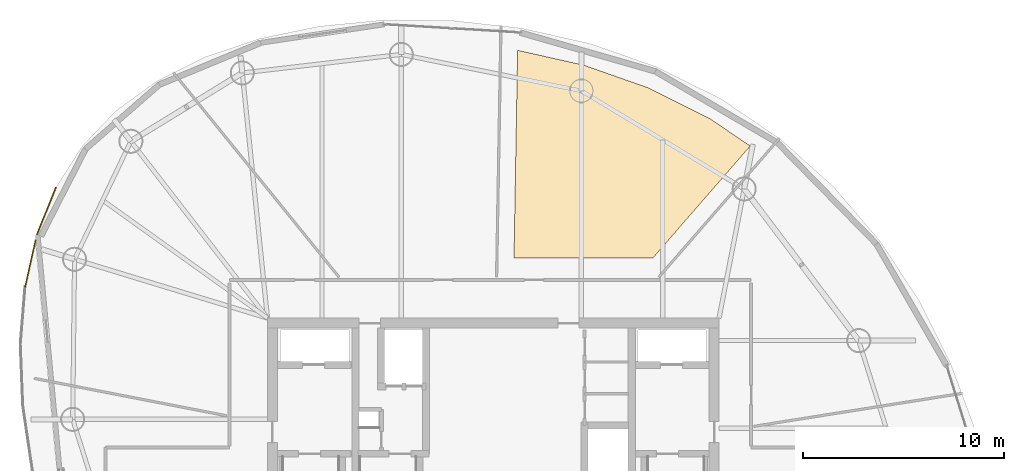
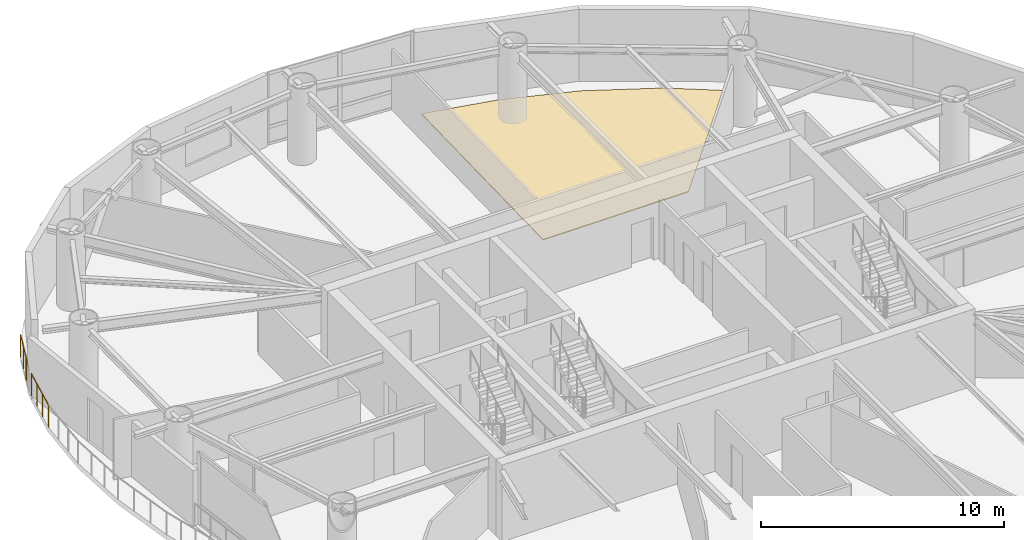
# One storey, part 18 of 18: 2 railings, 1 covering.
"""IFC4 building model written with IfcOpenShell, lengths in metres."""

import ifcopenshell
import ifcopenshell.guid

model = None  # the IFC model being written
_history = None  # IfcOwnerHistory: only IFC2X3 demands one
_inside = {}  # id of a spatial element -> (the spatial element, [elements in it])
_under = {}  # id of a project, library or spatial element -> (it, [spatial elements below it])
_declared = {}  # id of a project -> (the project, [libraries it declares])
_typed = {}  # id of a type object -> (the type object, [elements of that type])
_made_of = {}  # id of a material, layer set ... -> (it, [elements and type objects made of it])


def new_model(schema):
    """Start an empty IFC model of exactly this schema.

    Asked for "IFC4X3", IfcOpenShell would pick the latest addendum, in which some entities
    have other attributes; the version numbers below select the first issue.
    IFC2X3 requires an IfcOwnerHistory on every rooted entity: one is made here for all.
    """
    global model, _history
    if schema == "IFC4X3":
        model = ifcopenshell.file(schema_version=(4, 3, 0, 0))
    else:
        model = ifcopenshell.file(schema=schema)
    _inside.clear()
    _under.clear()
    _declared.clear()
    _typed.clear()
    _made_of.clear()
    _history = None
    if model.schema == "IFC2X3":
        org = make("IfcOrganization", Name="unknown")
        user = make(
            "IfcPersonAndOrganization",
            ThePerson=make("IfcPerson", FamilyName="unknown"),
            TheOrganization=org,
        )
        app = make(
            "IfcApplication",
            ApplicationDeveloper=org,
            Version="unknown",
            ApplicationFullName="unknown",
            ApplicationIdentifier="unknown",
        )
        _history = make(
            "IfcOwnerHistory",
            OwningUser=user,
            OwningApplication=app,
            ChangeAction="ADDED",
            CreationDate=0,
        )
    return model


def make(cls, **values):
    """One entity of the class cls with the attributes given. An attribute that is None is left unset."""
    return model.create_entity(
        cls, **{name: value for name, value in values.items() if value is not None}
    )


def rooted(cls, **values):
    """An entity with a GlobalId (a new one), such as an element, a storey or a relation."""
    return make(cls, GlobalId=ifcopenshell.guid.new(), OwnerHistory=_history, **values)


def si_unit(unit_type, name, prefix=None):
    """IfcSIUnit, for example si_unit("LENGTHUNIT", "METRE", prefix="MILLI")."""
    return make("IfcSIUnit", UnitType=unit_type, Prefix=prefix, Name=name)


def assignment(units):
    """IfcUnitAssignment: the units of a project."""
    return None if units is None else make("IfcUnitAssignment", Units=units)


def point(xyz):
    """IfcCartesianPoint."""
    return None if xyz is None else make("IfcCartesianPoint", Coordinates=xyz)


def direction(xyz):
    """IfcDirection."""
    return None if xyz is None else make("IfcDirection", DirectionRatios=xyz)


def frame(location, z_axis=None, x_axis=None):
    """IfcAxis2Placement3D, a coordinate frame: its origin and axes. An axis left out is left unset."""
    return make(
        "IfcAxis2Placement3D",
        Location=point(location),
        Axis=direction(z_axis),
        RefDirection=direction(x_axis),
    )


def frame_2d(location, x_axis=None):
    """IfcAxis2Placement2D, a coordinate frame in the plane: its origin and x axis."""
    return make(
        "IfcAxis2Placement2D", Location=point(location), RefDirection=direction(x_axis)
    )


def origin():
    """The frame at (0, 0, 0) with its axes left unset."""
    return frame((0.0, 0.0, 0.0))


def origin_2d():
    """The frame at (0, 0) in the plane with its x axis left unset."""
    return frame_2d((0.0, 0.0))


def place(relative_to, where):
    """IfcLocalPlacement: puts the frame where relative to a parent placement (None: the world)."""
    return make(
        "IfcLocalPlacement", PlacementRelTo=relative_to, RelativePlacement=where
    )


def context(
    kind, dimensions, precision=None, world=None, true_north=None, identifier=None
):
    """IfcGeometricRepresentationContext, for example the 3D "Model" context."""
    return make(
        "IfcGeometricRepresentationContext",
        ContextIdentifier=identifier,
        ContextType=kind,
        CoordinateSpaceDimension=dimensions,
        Precision=precision,
        WorldCoordinateSystem=world,
        TrueNorth=true_north,
    )


def subcontext(parent, identifier, kind, view, scale=None):
    """IfcGeometricRepresentationSubContext, for example "Body" below "Model"."""
    return make(
        "IfcGeometricRepresentationSubContext",
        ContextIdentifier=identifier,
        ContextType=kind,
        ParentContext=parent,
        TargetScale=scale,
        TargetView=view,
    )


def project(units=None, contexts=None):
    """IfcProject with its units and contexts."""
    return rooted(
        "IfcProject",
        Name="project",
        RepresentationContexts=contexts,
        UnitsInContext=assignment(units),
    )


def spatial(cls, under=None, at=None, **own):
    """A site, building, storey or space (cls), placed at a placement, below another one or the project."""
    s = rooted(cls, ObjectPlacement=at, **own)
    if under is not None:
        _under.setdefault(under.id(), (under, []))[1].append(s)
    return s


def polyline(points):
    """IfcPolyline through the points."""
    return make("IfcPolyline", Points=[point(p) for p in points])


def profile(cls, at=None, kind="AREA", **sizes):
    """A parametric profile (cls). Its sizes go by their IFC names, for example OverallWidth=200.0."""
    return make(cls, ProfileType=kind, Position=at, **sizes)


def circle(**sizes):
    """IfcCircleProfileDef."""
    return profile("IfcCircleProfileDef", **sizes)


def outline(outer, holes=None, kind="AREA"):
    """IfcArbitraryClosedProfileDef: a profile drawn as a closed curve; with holes, ...WithVoids."""
    if holes is None:
        return make("IfcArbitraryClosedProfileDef", ProfileType=kind, OuterCurve=outer)
    return make(
        "IfcArbitraryProfileDefWithVoids",
        ProfileType=kind,
        OuterCurve=outer,
        InnerCurves=holes,
    )


def extrude(swept, where, along, depth):
    """IfcExtrudedAreaSolid: the profile swept, set in the frame where, extruded along a direction by depth."""
    return make(
        "IfcExtrudedAreaSolid",
        SweptArea=swept,
        Position=where,
        ExtrudedDirection=direction(along),
        Depth=depth,
    )


def shape(context_of_items, identifier, shape_type, items):
    """IfcShapeRepresentation: the items that make up one representation, for example the "Body"."""
    return make(
        "IfcShapeRepresentation",
        ContextOfItems=context_of_items,
        RepresentationIdentifier=identifier,
        RepresentationType=shape_type,
        Items=items,
    )


def material(Name=None, Category=None):
    """IfcMaterial."""
    return make("IfcMaterial", Name=Name, Category=Category)


def layer(
    of_material, thickness, ventilated=None, Name=None, Category=None, Priority=None
):
    """IfcMaterialLayer: one layer of a wall or slab, of a material (None: an air gap)."""
    return make(
        "IfcMaterialLayer",
        Material=of_material,
        LayerThickness=thickness,
        IsVentilated=ventilated,
        Name=Name,
        Category=Category,
        Priority=Priority,
    )


def layer_set(layers, Name=None):
    """IfcMaterialLayerSet."""
    return make("IfcMaterialLayerSet", MaterialLayers=layers, LayerSetName=Name)


def made_of(thing, what):
    """Note that an element or type object is made of a material, layer set ...; save() writes the relation."""
    if what is not None:
        _made_of.setdefault(what.id(), (what, []))[1].append(thing)
    return thing


def type_object(cls, material=None, **own):
    """A type object (cls), such as IfcWallType, which elements share."""
    return made_of(rooted(cls, **own), material)


def element(
    cls,
    number,
    at=None,
    inside=None,
    cuts=None,
    type_object=None,
    material=None,
    context=None,
    identifier="Body",
    shape_type=None,
    held_by="IfcProductDefinitionShape",
    body=None,
    shapes=None,
    **own,
):
    """One element of the class cls, such as IfcWall. Its Tag is "e" and its number.

    at: its placement. inside: the storey or other place that contains it. cuts: it is an
    opening in that element (IfcRelVoidsElement). A single representation is given by context,
    identifier, shape_type and body (its items); several are given by shapes. held_by: the class
    of the entity that holds the representations. save() writes the other relations.
    """
    e = rooted(cls, Tag="e%d" % number, ObjectPlacement=at, **own)
    if body is not None:
        shapes = [shape(context, identifier, shape_type, body)]
    if shapes is not None:
        e.Representation = make(held_by, Representations=shapes)
    if inside is not None:
        _inside.setdefault(inside.id(), (inside, []))[1].append(e)
    if cuts is not None:
        rooted(
            "IfcRelVoidsElement", RelatingBuildingElement=cuts, RelatedOpeningElement=e
        )
    if type_object is not None:
        _typed.setdefault(type_object.id(), (type_object, []))[1].append(e)
    return made_of(e, material)


def aggregate(whole, parts):
    """IfcRelAggregates: a whole, such as a stair, and the parts it consists of."""
    return rooted("IfcRelAggregates", RelatingObject=whole, RelatedObjects=parts)


def save(model, path):
    """Write the relations noted so far, then the file.

    IfcRelAggregates (storeys below a building ...), IfcRelContainedInSpatialStructure (elements
    in a storey), IfcRelDefinesByType, IfcRelAssociatesMaterial and IfcRelDeclares: one each for
    every whole, place, type object, material and project.
    """
    for whole, parts in _under.values():
        aggregate(whole, parts)
    for where, things in _inside.values():
        rooted(
            "IfcRelContainedInSpatialStructure",
            RelatedElements=things,
            RelatingStructure=where,
        )
    for kind, things in _typed.values():
        rooted("IfcRelDefinesByType", RelatedObjects=things, RelatingType=kind)
    for what, things in _made_of.values():
        rooted("IfcRelAssociatesMaterial", RelatedObjects=things, RelatingMaterial=what)
    for by, libraries in _declared.values():
        rooted("IfcRelDeclares", RelatingContext=by, RelatedDefinitions=libraries)
    model.write(path)


model = new_model("IFC4")

# Units and contexts
model_context = context("Model", 3, precision=1e-05, world=origin(), true_north=direction((0.0, 1.0)))
body_context = subcontext(model_context, "Body", "Model", "MODEL_VIEW")
ifc_project = project(units=[si_unit("LENGTHUNIT", "METRE"), si_unit("AREAUNIT", "SQUARE_METRE"), si_unit("VOLUMEUNIT", "CUBIC_METRE"), si_unit("PLANEANGLEUNIT", "RADIAN"), si_unit("MASSUNIT", "GRAM", prefix="KILO")], contexts=[model_context])

# Site, building, storey
site_placement = place(None, origin())
site = spatial("IfcSite", under=ifc_project, at=site_placement, CompositionType="ELEMENT")
building_placement = place(site_placement, origin())
building = spatial("IfcBuilding", under=site, at=building_placement, Name="Bramvorn Convention Spire", CompositionType="ELEMENT")
storey_placement = place(building_placement, frame((0.0, 0.0, 182.75)))
storey = spatial("IfcBuildingStorey", under=building, at=storey_placement, Name="L46", CompositionType="ELEMENT", Elevation=182.75)

# Covering
ifc_material_1 = material(Name="Calcium-Sulphate Raised Access Office Floor", Category="steel")
ifc_layer = layer(ifc_material_1, 0.044921875)
ifc_layer_set = layer_set([ifc_layer], Name="Calcium-Sulphate Raised Access Office Floor - FLR-RAISED-45")
covering_type = type_object("IfcCoveringType", Name="FLR-RAISED-45", PredefinedType="FLOORING", material=ifc_layer_set)
covering_placement = place(storey_placement, origin())
element("IfcCovering", 1, at=covering_placement, inside=storey, type_object=covering_type, Name="L46 Conference Meeting Room 2 2 raised floor finish", PredefinedType="FLOORING", context=body_context, shape_type="SweptSolid", body=[
    extrude(outline(polyline([(39.032470703125, 36.449951171875), (45.957763671875, 36.449951171875), (50.80322265625, 42.02392578125), (48.790283203125, 43.389404296875), (45.734619140625, 44.91748046875), (42.510009765625, 46.051025390625), (39.212890625, 46.791015625), (39.032470703125, 36.449951171875)])), origin(), (0.0, 0.0, 1.0), 0.044921875),
])

# Railings
ifc_material_2 = material(Name="Bronze Cap-Rail & Laminated Structural Glass Balustrade", Category="glass")
railing_type = type_object("IfcRailingType", Name="RL-TERR-GUARD-1150", PredefinedType="GUARDRAIL", material=ifc_material_2)
railing_1_placement = place(storey_placement, frame((15.193603515625, 37.3203125, 0.0)))
element("IfcRailing", 2, at=railing_1_placement, inside=storey, type_object=railing_type, Name="L46 Sky Garden perimeter safety guardrail 4", PredefinedType="GUARDRAIL", context=body_context, shape_type="SweptSolid", body=[
    extrude(circle(Radius=0.02392578125, at=origin_2d()), frame((0.0, 0.0, 1.1259765625), z_axis=(-0.219160745319, -0.975688765801, 0.0), x_axis=(0.975688765801, -0.219160745319, 0.0)), (0.0, 0.0, 1.0), 2.36376953125),
    extrude(circle(Radius=0.02099609375, at=origin_2d()), origin(), (0.0, 0.0, 1.0), 1.101806640625),
    extrude(circle(Radius=0.02099609375, at=origin_2d()), frame((-0.172607421875, -0.768798828125, 0.0)), (0.0, 0.0, 1.0), 1.101806640625),
    extrude(circle(Radius=0.02099609375, at=origin_2d()), frame((-0.345458984375, -1.53759765625, 0.0)), (0.0, 0.0, 1.0), 1.101806640625),
    extrude(circle(Radius=0.02099609375, at=origin_2d()), frame((-0.51806640625, -2.306396484375, 0.0)), (0.0, 0.0, 1.0), 1.101806640625),
])
railing_2_placement = place(storey_placement, frame((15.260986328125, 37.62109375, 0.0)))
element("IfcRailing", 3, at=railing_2_placement, inside=storey, type_object=railing_type, Name="L46 Sky Garden junction edge safety guardrail 8", PredefinedType="GUARDRAIL", context=body_context, shape_type="SweptSolid", body=[
    extrude(circle(Radius=0.02392578125, at=origin_2d()), frame((0.0, 0.0, 1.1259765625), z_axis=(0.374647354243, 0.927167385081, 0.0), x_axis=(-0.927167385081, 0.374647354243, 0.0)), (0.0, 0.0, 1.0), 2.5185546875),
    extrude(circle(Radius=0.02099609375, at=origin_2d()), origin(), (0.0, 0.0, 1.0), 1.101806640625),
    extrude(circle(Radius=0.02099609375, at=origin_2d()), frame((0.314453125, 0.7783203125, 0.0)), (0.0, 0.0, 1.0), 1.101806640625),
    extrude(circle(Radius=0.02099609375, at=origin_2d()), frame((0.629150390625, 1.556884765625, 0.0)), (0.0, 0.0, 1.0), 1.101806640625),
    extrude(circle(Radius=0.02099609375, at=origin_2d()), frame((0.943603515625, 2.335205078125, 0.0)), (0.0, 0.0, 1.0), 1.101806640625),
])

save(model, "model.ifc")
